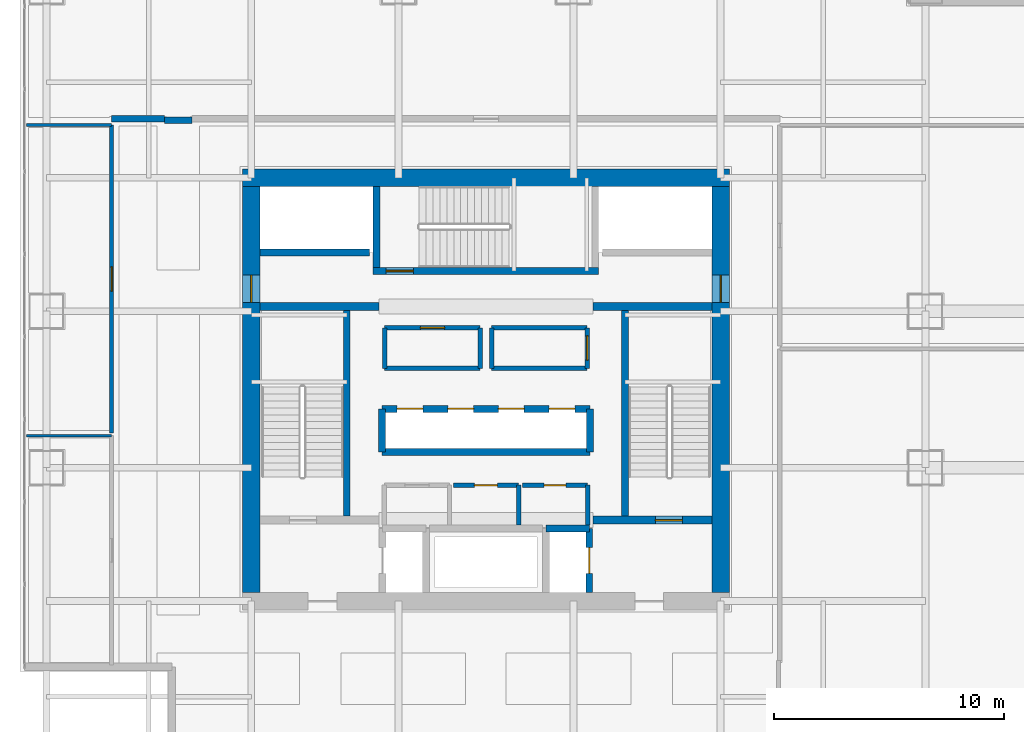
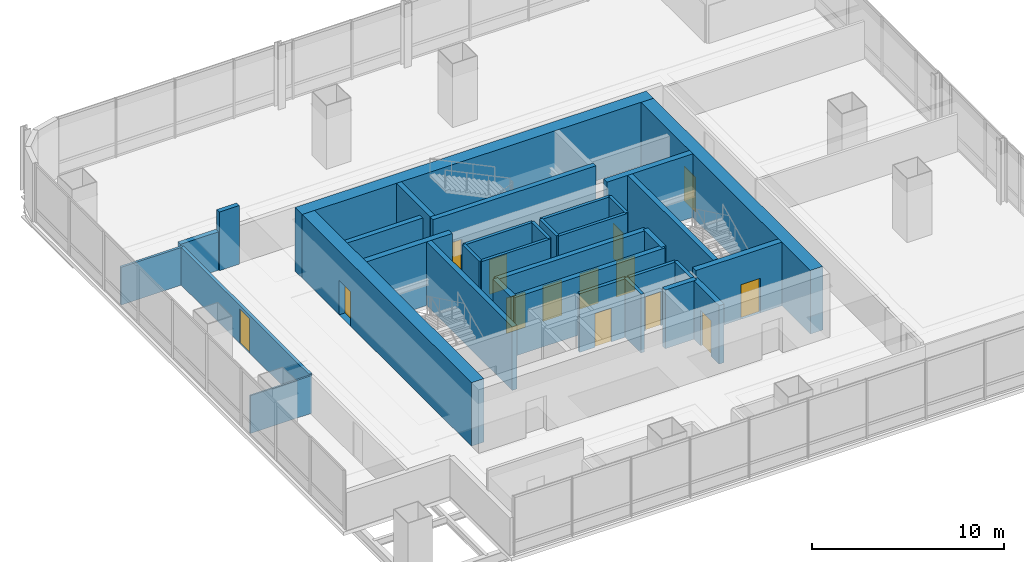
# One storey, part 28 of 33: 34 walls, 14 doors, 14 openings.
"""IFC4 building model written with IfcOpenShell, lengths in metres."""

from ifc_helpers import new_model, si_unit, direction, frame, frame_2d, origin, place, context, subcontext, project, spatial, rectangle, extrude, material, layer, layer_set, type_object, element, fill, save


model = new_model("IFC4")

# Units and contexts
model_context = context("Model", 3, precision=1e-05, world=origin(), true_north=direction((0.0, 1.0)))
body_context = subcontext(model_context, "Body", "Model", "MODEL_VIEW")
ifc_project = project(units=[si_unit("LENGTHUNIT", "METRE"), si_unit("AREAUNIT", "SQUARE_METRE"), si_unit("VOLUMEUNIT", "CUBIC_METRE"), si_unit("PLANEANGLEUNIT", "RADIAN"), si_unit("MASSUNIT", "GRAM", prefix="KILO")], contexts=[model_context])

# Site, building, storey
site_placement = place(None, origin())
site = spatial("IfcSite", under=ifc_project, at=site_placement, CompositionType="ELEMENT")
building_placement = place(site_placement, origin())
building = spatial("IfcBuilding", under=site, at=building_placement, Name="Punatoya Terracotta Tower", CompositionType="ELEMENT")
storey_placement = place(building_placement, frame((0.0, 0.0, 121.35009765625)))
storey = spatial("IfcBuildingStorey", under=building, at=storey_placement, Name="L28", CompositionType="ELEMENT", Elevation=121.35009765625)

# Walls
ifc_material_1 = material(Name="Concrete C40/50", Category="concrete")
ifc_layer_1 = layer(ifc_material_1, 0.280029296875)
ifc_layer_set_1 = layer_set([ifc_layer_1], Name="Concrete C40/50")
wall_type_1 = type_object("IfcWallType", Name="WL-AUD-280", PredefinedType="SOLIDWALL", material=ifc_layer_set_1)
wall_1_placement = place(storey_placement, frame((-12.77001953125, 11.7099609375, 0.0), z_axis=(0.0, 0.0, 1.0), x_axis=(-1.0, 0.0, 0.0)))
element("IfcWall", 1, at=wall_1_placement, inside=storey, type_object=wall_type_1, Name="L28 Fitness Movement Lounge Partition 34", PredefinedType="SOLIDWALL", context=body_context, shape_type="SweptSolid", body=[
    extrude(rectangle(XDim=1.2099609375, YDim=0.280029296875, at=frame_2d((0.60498046875, 0.0))), origin(), (0.0, 0.0, 1.0), 3.72998046875),
])
wall_2_placement = place(storey_placement, frame((-13.97998046875, 11.77001953125, 0.0), z_axis=(0.0, 0.0, 1.0), x_axis=(-1.0, 0.0, 0.0)))
element("IfcWall", 2, at=wall_2_placement, inside=storey, type_object=wall_type_1, Name="L28 Fitness Movement Lounge Partition 35", PredefinedType="SOLIDWALL", context=body_context, shape_type="SweptSolid", body=[
    extrude(rectangle(XDim=2.2900390625, YDim=0.280029296875, at=frame_2d((1.14501953125, 0.0))), origin(), (0.0, 0.0, 1.0), 2.44384765625),
])

# Wall, opening, door
ifc_material_2 = material(Name="Concrete C60/75", Category="concrete")
ifc_layer_2 = layer(ifc_material_2, 0.75)
ifc_layer_set_2 = layer_set([ifc_layer_2], Name="Concrete C60/75")
wall_type_2 = type_object("IfcWallType", Name="WL-COR-750", PredefinedType="SHEAR", material=ifc_layer_set_2)
wall_3_placement = place(storey_placement, frame((-10.199951171875, -8.824951171875, 0.0), z_axis=(0.0, 0.0, 1.0), x_axis=(0.0, 1.0, 0.0)))
wall_3 = element("IfcWall", 3, at=wall_3_placement, inside=storey, type_object=wall_type_2, Name="L28 Core Shear Wall W", PredefinedType="SHEAR", context=body_context, shape_type="SweptSolid", body=[
    extrude(rectangle(XDim=17.64990234375, YDim=0.75, at=frame_2d((8.824951171875, 0.0))), origin(), (0.0, 0.0, 1.0), 4.0498046875),
])
opening_1_placement = place(wall_3_placement, frame((12.614990234375, 0.0, 0.0)))
opening_1 = element("IfcOpeningElement", 4, at=opening_1_placement, cuts=wall_3, Name="Opening SD-01", PredefinedType="OPENING", context=body_context, shape_type="SweptSolid", body=[
    extrude(rectangle(XDim=1.179931640625, YDim=2.199951171875, at=frame_2d((0.58984375, 1.10009765625))), frame((0.0, 0.385009765625, 0.0), z_axis=(0.0, -1.0, 0.0), x_axis=(1.0, 0.0, 0.0)), (0.0, 0.0, 1.0), 0.77001953125),
])
ifc_material_3 = material(Name="Galvanised Steel Pressurized Stair Fire Door", Category="steel")
door_type_1 = type_object("IfcDoorType", Name="DR-STR-1180", OperationType="NOTDEFINED", PredefinedType="DOOR", material=ifc_material_3)
door_1_placement = place(opening_1_placement, origin())
door_1 = element("IfcDoor", 5, at=door_1_placement, inside=storey, type_object=door_type_1, Name="L28 Central Lift Lobby West Fire Door", OperationType="SINGLE_SWING_LEFT", OverallHeight=2.199951171875, OverallWidth=1.179931640625, PredefinedType="DOOR", context=body_context, shape_type="SweptSolid", body=[
    extrude(rectangle(XDim=1.179931640625, YDim=2.199951171875, at=frame_2d((0.58984375, 1.10009765625))), frame((0.0, 0.02490234375, 0.0), z_axis=(0.0, -1.0, 0.0), x_axis=(1.0, 0.0, 0.0)), (0.0, 0.0, 1.0), 0.050048828125),
])
fill(opening_1, door_1)

# Wall
wall_4_placement = place(storey_placement, frame((-10.574951171875, 9.199951171875, 0.0), z_axis=(0.0, 0.0, 1.0), x_axis=(1.0, 0.0, 0.0)))
element("IfcWall", 6, at=wall_4_placement, inside=storey, type_object=wall_type_2, Name="L28 Core Shear Wall N", PredefinedType="SHEAR", context=body_context, shape_type="SweptSolid", body=[
    extrude(rectangle(XDim=21.14990234375, YDim=0.75, at=frame_2d((10.574951171875, 0.0))), origin(), (0.0, 0.0, 1.0), 4.0498046875),
])

# Wall, opening, door
wall_5_placement = place(storey_placement, frame((10.199951171875, 8.824951171875, 0.0), z_axis=(0.0, 0.0, 1.0), x_axis=(0.0, -1.0, 0.0)))
wall_5 = element("IfcWall", 7, at=wall_5_placement, inside=storey, type_object=wall_type_2, Name="L28 Core Shear Wall E", PredefinedType="SHEAR", context=body_context, shape_type="SweptSolid", body=[
    extrude(rectangle(XDim=17.64990234375, YDim=0.75, at=frame_2d((8.824951171875, 0.0))), origin(), (0.0, 0.0, 1.0), 4.0498046875),
])
opening_2_placement = place(wall_5_placement, frame((3.85498046875, 0.0, 0.0)))
opening_2 = element("IfcOpeningElement", 8, at=opening_2_placement, cuts=wall_5, Name="Opening SD-01", PredefinedType="OPENING", context=body_context, shape_type="SweptSolid", body=[
    extrude(rectangle(XDim=1.179931640625, YDim=2.199951171875, at=frame_2d((0.58984375, 1.10009765625))), frame((0.0, 0.385009765625, 0.0), z_axis=(0.0, -1.0, 0.0), x_axis=(1.0, 0.0, 0.0)), (0.0, 0.0, 1.0), 0.77001953125),
])
door_2_placement = place(opening_2_placement, origin())
door_2 = element("IfcDoor", 9, at=door_2_placement, inside=storey, type_object=door_type_1, Name="L28 Central Lift Lobby East Fire Door", OperationType="SINGLE_SWING_RIGHT", OverallHeight=2.199951171875, OverallWidth=1.179931640625, PredefinedType="DOOR", context=body_context, shape_type="SweptSolid", body=[
    extrude(rectangle(XDim=1.179931640625, YDim=2.199951171875, at=frame_2d((0.58984375, 1.10009765625))), frame((0.0, 0.02490234375, 0.0), z_axis=(0.0, -1.0, 0.0), x_axis=(1.0, 0.0, 0.0)), (0.0, 0.0, 1.0), 0.050048828125),
])
fill(opening_2, door_2)

# Wall
ifc_material_4 = material(Name="Gypsum Fireboard + Steel Stud", Category="steel")
ifc_layer_3 = layer(ifc_material_4, 0.179931640625)
ifc_layer_set_3 = layer_set([ifc_layer_3], Name="Gypsum Fireboard + Steel Stud")
wall_type_3 = type_object("IfcWallType", Name="WL-CORR-180", PredefinedType="PARTITIONING", material=ifc_layer_set_3)
wall_6_placement = place(storey_placement, frame((-0.25, 0.919921875, 0.0), z_axis=(0.0, 0.0, 1.0), x_axis=(0.0, 1.0, 0.0)))
element("IfcWall", 10, at=wall_6_placement, inside=storey, type_object=wall_type_3, Name="L28 West Core Focus Pod Partition 08", PredefinedType="PARTITIONING", context=body_context, shape_type="SweptSolid", body=[
    extrude(rectangle(XDim=1.760009765625, YDim=0.179931640625, at=frame_2d((0.8798828125, 0.0))), origin(), (0.0, 0.0, 1.0), 3.72998046875),
])

# Wall, opening, door
wall_7_placement = place(storey_placement, frame((-0.25, 2.679931640625, 0.0), z_axis=(0.0, 0.0, 1.0), x_axis=(-1.0, 0.0, 0.0)))
wall_7 = element("IfcWall", 11, at=wall_7_placement, inside=storey, type_object=wall_type_3, Name="L28 West Core Focus Pod Partition 09", PredefinedType="PARTITIONING", context=body_context, shape_type="SweptSolid", body=[
    extrude(rectangle(XDim=4.14990234375, YDim=0.179931640625, at=frame_2d((2.074951171875, 0.0))), origin(), (0.0, 0.0, 1.0), 3.72998046875),
])
opening_3_placement = place(wall_7_placement, frame((1.550048828125, 0.0, 0.0)))
opening_3 = element("IfcOpeningElement", 12, at=opening_3_placement, cuts=wall_7, Name="Opening OD-01", PredefinedType="OPENING", context=body_context, shape_type="SweptSolid", body=[
    extrude(rectangle(XDim=1.050048828125, YDim=2.199951171875, at=frame_2d((0.52490234375, 1.10009765625))), frame((0.0, 0.099853515625, 0.0), z_axis=(0.0, -1.0, 0.0), x_axis=(1.0, 0.0, 0.0)), (0.0, 0.0, 1.0), 0.199951171875),
])
ifc_material_5 = material(Name="Bengal Teak Solid-Core Leaf")
door_type_2 = type_object("IfcDoorType", Name="DR-OFF-1050", OperationType="NOTDEFINED", PredefinedType="DOOR", material=ifc_material_5)
door_3_placement = place(opening_3_placement, origin())
door_3 = element("IfcDoor", 13, at=door_3_placement, inside=storey, type_object=door_type_2, Name="L28 West Focus Pod Door", OperationType="SINGLE_SWING_RIGHT", OverallHeight=2.199951171875, OverallWidth=1.050048828125, PredefinedType="DOOR", context=body_context, shape_type="SweptSolid", body=[
    extrude(rectangle(XDim=1.050048828125, YDim=2.199951171875, at=frame_2d((0.52490234375, 1.10009765625))), frame((0.0, 0.02490234375, 0.0), z_axis=(0.0, -1.0, 0.0), x_axis=(1.0, 0.0, 0.0)), (0.0, 0.0, 1.0), 0.050048828125),
])
fill(opening_3, door_3)

# Walls
wall_8_placement = place(storey_placement, frame((-4.39990234375, 2.679931640625, 0.0), z_axis=(0.0, 0.0, 1.0), x_axis=(0.0, -1.0, 0.0)))
element("IfcWall", 14, at=wall_8_placement, inside=storey, type_object=wall_type_3, Name="L28 West Core Focus Pod Partition 10", PredefinedType="PARTITIONING", context=body_context, shape_type="SweptSolid", body=[
    extrude(rectangle(XDim=1.760009765625, YDim=0.179931640625, at=frame_2d((0.8798828125, 0.0))), origin(), (0.0, 0.0, 1.0), 3.72998046875),
])
wall_9_placement = place(storey_placement, frame((-4.39990234375, 0.919921875, 0.0), z_axis=(0.0, 0.0, 1.0), x_axis=(1.0, 0.0, 0.0)))
element("IfcWall", 15, at=wall_9_placement, inside=storey, type_object=wall_type_3, Name="L28 West Core Focus Pod Partition 11", PredefinedType="PARTITIONING", context=body_context, shape_type="SweptSolid", body=[
    extrude(rectangle(XDim=4.14990234375, YDim=0.179931640625, at=frame_2d((2.074951171875, 0.0))), origin(), (0.0, 0.0, 1.0), 3.72998046875),
])

# Wall, opening, door
wall_10_placement = place(storey_placement, frame((4.39990234375, 0.919921875, 0.0), z_axis=(0.0, 0.0, 1.0), x_axis=(0.0, 1.0, 0.0)))
wall_10 = element("IfcWall", 16, at=wall_10_placement, inside=storey, type_object=wall_type_3, Name="L28 East Core Wellness Room Partition 12", PredefinedType="PARTITIONING", context=body_context, shape_type="SweptSolid", body=[
    extrude(rectangle(XDim=1.760009765625, YDim=0.179931640625, at=frame_2d((0.8798828125, 0.0))), origin(), (0.0, 0.0, 1.0), 3.72998046875),
])
opening_4_placement = place(wall_10_placement, frame((0.35498046875, 0.0, 0.0)))
opening_4 = element("IfcOpeningElement", 17, at=opening_4_placement, cuts=wall_10, Name="Opening OD-01", PredefinedType="OPENING", context=body_context, shape_type="SweptSolid", body=[
    extrude(rectangle(XDim=1.050048828125, YDim=2.199951171875, at=frame_2d((0.52490234375, 1.10009765625))), frame((0.0, 0.099853515625, 0.0), z_axis=(0.0, -1.0, 0.0), x_axis=(1.0, 0.0, 0.0)), (0.0, 0.0, 1.0), 0.199951171875),
])
door_4_placement = place(opening_4_placement, origin())
door_4 = element("IfcDoor", 18, at=door_4_placement, inside=storey, type_object=door_type_2, Name="L28 East Wellness Room Door", OperationType="SINGLE_SWING_LEFT", OverallHeight=2.199951171875, OverallWidth=1.050048828125, PredefinedType="DOOR", context=body_context, shape_type="SweptSolid", body=[
    extrude(rectangle(XDim=1.050048828125, YDim=2.199951171875, at=frame_2d((0.52490234375, 1.10009765625))), frame((0.0, 0.02490234375, 0.0), z_axis=(0.0, -1.0, 0.0), x_axis=(1.0, 0.0, 0.0)), (0.0, 0.0, 1.0), 0.050048828125),
])
fill(opening_4, door_4)

# Walls
wall_11_placement = place(storey_placement, frame((4.39990234375, 2.679931640625, 0.0), z_axis=(0.0, 0.0, 1.0), x_axis=(-1.0, 0.0, 0.0)))
element("IfcWall", 19, at=wall_11_placement, inside=storey, type_object=wall_type_3, Name="L28 East Core Wellness Room Partition 13", PredefinedType="PARTITIONING", context=body_context, shape_type="SweptSolid", body=[
    extrude(rectangle(XDim=4.14990234375, YDim=0.179931640625, at=frame_2d((2.074951171875, 0.0))), origin(), (0.0, 0.0, 1.0), 3.72998046875),
])
wall_12_placement = place(storey_placement, frame((0.25, 2.679931640625, 0.0), z_axis=(0.0, 0.0, 1.0), x_axis=(0.0, -1.0, 0.0)))
element("IfcWall", 20, at=wall_12_placement, inside=storey, type_object=wall_type_3, Name="L28 East Core Wellness Room Partition 14", PredefinedType="PARTITIONING", context=body_context, shape_type="SweptSolid", body=[
    extrude(rectangle(XDim=1.760009765625, YDim=0.179931640625, at=frame_2d((0.8798828125, 0.0))), origin(), (0.0, 0.0, 1.0), 3.72998046875),
])
wall_13_placement = place(storey_placement, frame((0.25, 0.919921875, 0.0), z_axis=(0.0, 0.0, 1.0), x_axis=(1.0, 0.0, 0.0)))
element("IfcWall", 21, at=wall_13_placement, inside=storey, type_object=wall_type_3, Name="L28 East Core Wellness Room Partition 15", PredefinedType="PARTITIONING", context=body_context, shape_type="SweptSolid", body=[
    extrude(rectangle(XDim=4.14990234375, YDim=0.179931640625, at=frame_2d((2.074951171875, 0.0))), origin(), (0.0, 0.0, 1.0), 3.72998046875),
])

# Wall, opening, door
wall_14_placement = place(storey_placement, frame((-16.27001953125, 11.489990234375, 0.0), z_axis=(0.0, 0.0, 1.0), x_axis=(0.0, -1.0, 0.0)))
wall_14 = element("IfcWall", 22, at=wall_14_placement, inside=storey, type_object=wall_type_3, Name="L28 Open-Plan Mindfulness Wellness Room Partition 30", PredefinedType="PARTITIONING", context=body_context, shape_type="SweptSolid", body=[
    extrude(rectangle(XDim=13.3798828125, YDim=0.179931640625, at=frame_2d((6.68994140625, 0.0))), origin(), (0.0, 0.0, 1.0), 2.40380859375),
])
opening_5_placement = place(wall_14_placement, frame((6.1650390625, 0.0, 0.0)))
opening_5 = element("IfcOpeningElement", 23, at=opening_5_placement, cuts=wall_14, Name="Opening OD-01", PredefinedType="OPENING", context=body_context, shape_type="SweptSolid", body=[
    extrude(rectangle(XDim=1.050048828125, YDim=2.199951171875, at=frame_2d((0.52490234375, 1.10009765625))), frame((0.0, 0.099853515625, 0.0), z_axis=(0.0, -1.0, 0.0), x_axis=(1.0, 0.0, 0.0)), (0.0, 0.0, 1.0), 0.199951171875),
])
door_5_placement = place(opening_5_placement, origin())
door_5 = element("IfcDoor", 24, at=door_5_placement, inside=storey, type_object=door_type_2, Name="L28 Open-Plan Mindfulness Wellness Room Door", OperationType="SINGLE_SWING_LEFT", OverallHeight=2.199951171875, OverallWidth=1.050048828125, PredefinedType="DOOR", context=body_context, shape_type="SweptSolid", body=[
    extrude(rectangle(XDim=1.050048828125, YDim=2.199951171875, at=frame_2d((0.52490234375, 1.10009765625))), frame((0.0, 0.02490234375, 0.0), z_axis=(0.0, -1.0, 0.0), x_axis=(1.0, 0.0, 0.0)), (0.0, 0.0, 1.0), 0.050048828125),
])
fill(opening_5, door_5)

# Walls
ifc_material_6 = material(Name="Aluminium Framed Acoustic Glass Partition", Category="aluminium")
ifc_layer_4 = layer(ifc_material_6, 0.10009765625)
ifc_layer_set_4 = layer_set([ifc_layer_4], Name="Aluminium Framed Acoustic Glass Partition")
wall_type_4 = type_object("IfcWallType", Name="WL-GLZ-100", PredefinedType="PARTITIONING", material=ifc_layer_set_4)
wall_15_placement = place(storey_placement, frame((-19.969970703125, -2.010009765625, 0.0), z_axis=(0.0, 0.0, 1.0), x_axis=(1.0, 0.0, 0.0)))
element("IfcWall", 25, at=wall_15_placement, inside=storey, type_object=wall_type_4, Name="L28 Open-Plan Leadership Training Classroom Partition 23", PredefinedType="PARTITIONING", context=body_context, shape_type="SweptSolid", body=[
    extrude(rectangle(XDim=3.699951171875, YDim=0.10009765625, at=frame_2d((1.85009765625, 0.0))), origin(), (0.0, 0.0, 1.0), 2.40380859375),
])
ifc_layer_5 = layer(ifc_material_1, 0.199951171875)
ifc_layer_set_5 = layer_set([ifc_layer_5], Name="Concrete C40/50")
wall_type_5 = type_object("IfcWallType", Name="WL-INT-200", PredefinedType="SOLIDWALL", material=ifc_layer_set_5)
wall_16_placement = place(storey_placement, frame((1.419921875, -5.89990234375, 0.0), z_axis=(0.0, 0.0, 1.0), x_axis=(0.0, 1.0, 0.0)))
element("IfcWall", 26, at=wall_16_placement, inside=storey, type_object=wall_type_5, Name="L28 Accessible Universal Washroom Partition 04", PredefinedType="SOLIDWALL", context=body_context, shape_type="SweptSolid", body=[
    extrude(rectangle(XDim=1.739990234375, YDim=0.199951171875, at=frame_2d((0.8701171875, 0.0))), origin(), (0.0, 0.0, 1.0), 3.72998046875),
])

# Wall, opening, door
wall_17_placement = place(storey_placement, frame((1.419921875, -4.159912109375, 0.0), z_axis=(0.0, 0.0, 1.0), x_axis=(-1.0, 0.0, 0.0)))
wall_17 = element("IfcWall", 27, at=wall_17_placement, inside=storey, type_object=wall_type_5, Name="L28 Accessible Universal Washroom Partition 05", PredefinedType="SOLIDWALL", context=body_context, shape_type="SweptSolid", body=[
    extrude(rectangle(XDim=2.83984375, YDim=0.199951171875, at=frame_2d((1.419921875, 0.0))), origin(), (0.0, 0.0, 1.0), 3.72998046875),
])
opening_6_placement = place(wall_17_placement, frame((0.919921875, 0.0, 0.0)))
opening_6 = element("IfcOpeningElement", 28, at=opening_6_placement, cuts=wall_17, Name="Opening AWD-1", PredefinedType="OPENING", context=body_context, shape_type="SweptSolid", body=[
    extrude(rectangle(XDim=1.0, YDim=2.14990234375, at=frame_2d((0.5, 1.074951171875))), frame((0.0, 0.10986328125, 0.0), z_axis=(0.0, -1.0, 0.0), x_axis=(1.0, 0.0, 0.0)), (0.0, 0.0, 1.0), 0.219970703125),
])
ifc_material_7 = material(Name="Bengal Teak Accessible WC Leaf")
door_type_3 = type_object("IfcDoorType", Name="DR-ACC-1000", OperationType="NOTDEFINED", PredefinedType="DOOR", material=ifc_material_7)
door_6_placement = place(opening_6_placement, origin())
door_6 = element("IfcDoor", 29, at=door_6_placement, inside=storey, type_object=door_type_3, Name="L28 Accessible Universal Washroom Door", OperationType="SINGLE_SWING_RIGHT", OverallHeight=2.14990234375, OverallWidth=1.0, PredefinedType="DOOR", context=body_context, shape_type="SweptSolid", body=[
    extrude(rectangle(XDim=1.0, YDim=2.14990234375, at=frame_2d((0.5, 1.074951171875))), frame((0.0, 0.02490234375, 0.0), z_axis=(0.0, -1.0, 0.0), x_axis=(1.0, 0.0, 0.0)), (0.0, 0.0, 1.0), 0.050048828125),
])
fill(opening_6, door_6)

# Wall
wall_18_placement = place(storey_placement, frame((4.419921875, -5.89990234375, 0.0), z_axis=(0.0, 0.0, 1.0), x_axis=(0.0, 1.0, 0.0)))
element("IfcWall", 30, at=wall_18_placement, inside=storey, type_object=wall_type_5, Name="L28 All-Gender Washroom Partition 06", PredefinedType="SOLIDWALL", context=body_context, shape_type="SweptSolid", body=[
    extrude(rectangle(XDim=1.739990234375, YDim=0.199951171875, at=frame_2d((0.8701171875, 0.0))), origin(), (0.0, 0.0, 1.0), 3.72998046875),
])

# Wall, opening, door
wall_19_placement = place(storey_placement, frame((4.419921875, -4.159912109375, 0.0), z_axis=(0.0, 0.0, 1.0), x_axis=(-1.0, 0.0, 0.0)))
wall_19 = element("IfcWall", 31, at=wall_19_placement, inside=storey, type_object=wall_type_5, Name="L28 All-Gender Washroom Partition 07", PredefinedType="SOLIDWALL", context=body_context, shape_type="SweptSolid", body=[
    extrude(rectangle(XDim=2.83984375, YDim=0.199951171875, at=frame_2d((1.419921875, 0.0))), origin(), (0.0, 0.0, 1.0), 3.72998046875),
])
opening_7_placement = place(wall_19_placement, frame((0.945068359375, 0.0, 0.0)))
opening_7 = element("IfcOpeningElement", 32, at=opening_7_placement, cuts=wall_19, Name="Opening WD-01", PredefinedType="OPENING", context=body_context, shape_type="SweptSolid", body=[
    extrude(rectangle(XDim=0.949951171875, YDim=2.14990234375, at=frame_2d((0.47509765625, 1.074951171875))), frame((0.0, 0.10986328125, 0.0), z_axis=(0.0, -1.0, 0.0), x_axis=(1.0, 0.0, 0.0)), (0.0, 0.0, 1.0), 0.219970703125),
])
ifc_material_8 = material(Name="Moisture-Resistant Laminate Timber Leaf", Category="wood")
door_type_4 = type_object("IfcDoorType", Name="DR-WC-950", OperationType="NOTDEFINED", PredefinedType="DOOR", material=ifc_material_8)
door_7_placement = place(opening_7_placement, origin())
door_7 = element("IfcDoor", 33, at=door_7_placement, inside=storey, type_object=door_type_4, Name="L28 All-Gender Washroom Door", OperationType="SINGLE_SWING_LEFT", OverallHeight=2.14990234375, OverallWidth=0.949951171875, PredefinedType="DOOR", context=body_context, shape_type="SweptSolid", body=[
    extrude(rectangle(XDim=0.949951171875, YDim=2.14990234375, at=frame_2d((0.47509765625, 1.074951171875))), frame((0.0, 0.02490234375, 0.0), z_axis=(0.0, -1.0, 0.0), x_axis=(1.0, 0.0, 0.0)), (0.0, 0.0, 1.0), 0.050048828125),
])
fill(opening_7, door_7)

# Walls
ifc_material_9 = material(Name="Acoustic Gypsum + Steel Stud", Category="steel")
ifc_layer_6 = layer(ifc_material_9, 0.139892578125)
ifc_layer_set_6 = layer_set([ifc_layer_6], Name="Acoustic Gypsum + Steel Stud")
wall_type_6 = type_object("IfcWallType", Name="WL-OFF-140", PredefinedType="PARTITIONING", material=ifc_layer_set_6)
wall_20_placement = place(storey_placement, frame((-19.969970703125, 11.489990234375, 0.0), z_axis=(0.0, 0.0, 1.0), x_axis=(1.0, 0.0, 0.0)))
element("IfcWall", 34, at=wall_20_placement, inside=storey, type_object=wall_type_6, Name="L28 Open-Plan Mindfulness Wellness Room Partition 29", PredefinedType="PARTITIONING", context=body_context, shape_type="SweptSolid", body=[
    extrude(rectangle(XDim=3.699951171875, YDim=0.139892578125, at=frame_2d((1.85009765625, 0.0))), origin(), (0.0, 0.0, 1.0), 2.40380859375),
])
ifc_layer_7 = layer(ifc_material_1, 0.300048828125)
ifc_layer_set_7 = layer_set([ifc_layer_7], Name="Concrete C40/50")
wall_type_7 = type_object("IfcWallType", Name="WL-SHF-300", PredefinedType="SOLIDWALL", material=ifc_layer_set_7)
for number, where, z_axis, x_axis, name in (
    (35, (-6.050048828125, -5.5, 0.0), (0.0, 0.0, 1.0), (0.0, 1.0, 0.0), "L28 Structural Stair Shaft Wall SW-ST1-E"),
    (36, (6.050048828125, 3.449951171875, 0.0), (0.0, 0.0, 1.0), (0.0, -1.0, 0.0), "L28 Structural Stair Shaft Wall SW-ST2-W"),
):
    element("IfcWall", number, at=place(storey_placement, frame(where, z_axis=z_axis, x_axis=x_axis)), inside=storey, type_object=wall_type_7, Name=name, PredefinedType="SOLIDWALL", context=body_context, shape_type="SweptSolid", body=[
        extrude(rectangle(XDim=8.949951171875, YDim=0.300048828125, at=frame_2d((4.47509765625, 0.0))), origin(), (0.0, 0.0, 1.0), 4.0498046875),
    ])
wall_21_placement = place(storey_placement, frame((-4.75, 5.300048828125, 0.0), z_axis=(0.0, 0.0, 1.0), x_axis=(0.0, 1.0, 0.0)))
element("IfcWall", 37, at=wall_21_placement, inside=storey, type_object=wall_type_7, Name="L28 Structural Stair Shaft Wall SW-ST3-W", PredefinedType="SOLIDWALL", context=body_context, shape_type="SweptSolid", body=[
    extrude(rectangle(XDim=3.52490234375, YDim=0.300048828125, at=frame_2d((1.762451171875, 0.0))), origin(), (0.0, 0.0, 1.0), 4.0498046875),
])

# Wall, opening, door
wall_22_placement = place(storey_placement, frame((-4.89990234375, 5.14990234375, 0.0), z_axis=(0.0, 0.0, 1.0), x_axis=(1.0, 0.0, 0.0)))
wall_22 = element("IfcWall", 38, at=wall_22_placement, inside=storey, type_object=wall_type_7, Name="L28 Structural Stair Shaft Wall SW-ST3-S", PredefinedType="SOLIDWALL", context=body_context, shape_type="SweptSolid", body=[
    extrude(rectangle(XDim=9.7998046875, YDim=0.300048828125, at=frame_2d((4.89990234375, 0.0))), origin(), (0.0, 0.0, 1.0), 4.0498046875),
])
opening_8_placement = place(wall_22_placement, frame((0.56005859375, 0.0, 0.0)))
opening_8 = element("IfcOpeningElement", 39, at=opening_8_placement, cuts=wall_22, Name="Opening SD-01", PredefinedType="OPENING", context=body_context, shape_type="SweptSolid", body=[
    extrude(rectangle(XDim=1.179931640625, YDim=2.199951171875, at=frame_2d((0.58984375, 1.10009765625))), frame((0.0, 0.159912109375, 0.0), z_axis=(0.0, -1.0, 0.0), x_axis=(1.0, 0.0, 0.0)), (0.0, 0.0, 1.0), 0.320068359375),
])
door_8_placement = place(opening_8_placement, origin())
door_8 = element("IfcDoor", 40, at=door_8_placement, inside=storey, type_object=door_type_1, Name="L28 Stair ST-3 Core Lobby Fire Door", OperationType="SINGLE_SWING_LEFT", OverallHeight=2.199951171875, OverallWidth=1.179931640625, PredefinedType="DOOR", context=body_context, shape_type="SweptSolid", body=[
    extrude(rectangle(XDim=1.179931640625, YDim=2.199951171875, at=frame_2d((0.58984375, 1.10009765625))), frame((0.0, 0.02490234375, 0.0), z_axis=(0.0, -1.0, 0.0), x_axis=(1.0, 0.0, 0.0)), (0.0, 0.0, 1.0), 0.050048828125),
])
fill(opening_8, door_8)

wall_23_placement = place(storey_placement, frame((4.489990234375, -8.820068359375, 0.0), z_axis=(0.0, 0.0, 1.0), x_axis=(0.0, 1.0, 0.0)))
wall_23 = element("IfcWall", 41, at=wall_23_placement, inside=storey, type_object=wall_type_7, Name="L28 FFL-2 Front Hoistway Wall", PredefinedType="SOLIDWALL", context=body_context, shape_type="SweptSolid", body=[
    extrude(rectangle(XDim=2.77001953125, YDim=0.300048828125, at=frame_2d((1.385009765625, 0.0))), origin(), (0.0, 0.0, 1.0), 3.72998046875),
])
opening_9_placement = place(wall_23_placement, frame((0.824951171875, 0.0, 0.0)))
opening_9 = element("IfcOpeningElement", 42, at=opening_9_placement, cuts=wall_23, Name="Opening LD-02", PredefinedType="OPENING", context=body_context, shape_type="SweptSolid", body=[
    extrude(rectangle(XDim=1.1201171875, YDim=2.25, at=frame_2d((0.56005859375, 1.125))), frame((0.0, 0.159912109375, 0.0), z_axis=(0.0, -1.0, 0.0), x_axis=(1.0, 0.0, 0.0)), (0.0, 0.0, 1.0), 0.320068359375),
])
ifc_material_10 = material(Name="Stainless Steel Lift Landing Door", Category="steel")
door_type_5 = type_object("IfcDoorType", Name="DR-LND-1120", OperationType="NOTDEFINED", PredefinedType="DOOR", material=ifc_material_10)
door_9_placement = place(opening_9_placement, origin())
door_9 = element("IfcDoor", 43, at=door_9_placement, inside=storey, type_object=door_type_5, Name="L28 Firefighting Lift FFL-2 Sliding Landing Door", OperationType="SLIDING_TO_RIGHT", OverallHeight=2.25, OverallWidth=1.1201171875, PredefinedType="DOOR", context=body_context, shape_type="SweptSolid", body=[
    extrude(rectangle(XDim=1.1201171875, YDim=2.25, at=frame_2d((0.56005859375, 1.125))), frame((0.0, 0.02490234375, 0.0), z_axis=(0.0, -1.0, 0.0), x_axis=(1.0, 0.0, 0.0)), (0.0, 0.0, 1.0), 0.050048828125),
])
fill(opening_9, door_9)

# Wall
wall_24_placement = place(storey_placement, frame((2.610107421875, -6.050048828125, 0.0), z_axis=(0.0, 0.0, 1.0), x_axis=(1.0, 0.0, 0.0)))
element("IfcWall", 44, at=wall_24_placement, inside=storey, type_object=wall_type_7, Name="L28 FFL-2 North Hoistway Wall", PredefinedType="SOLIDWALL", context=body_context, shape_type="SweptSolid", body=[
    extrude(rectangle(XDim=1.8798828125, YDim=0.300048828125, at=frame_2d((0.93994140625, 0.0))), origin(), (0.0, 0.0, 1.0), 3.72998046875),
])

# Wall, openings, doors
wall_25_placement = place(storey_placement, frame((-4.52001953125, -0.840087890625, 0.0), z_axis=(0.0, 0.0, 1.0), x_axis=(1.0, 0.0, 0.0)))
wall_25 = element("IfcWall", 45, at=wall_25_placement, inside=storey, type_object=wall_type_7, Name="L28 South Lift Bank Front Shaft Wall", PredefinedType="SOLIDWALL", context=body_context, shape_type="SweptSolid", body=[
    extrude(rectangle(XDim=9.0400390625, YDim=0.300048828125, at=frame_2d((4.52001953125, 0.0))), origin(), (0.0, 0.0, 1.0), 3.72998046875),
])
opening_10_placement = place(wall_25_placement, frame((0.659912109375, 0.0, 0.0)))
opening_10 = element("IfcOpeningElement", 46, at=opening_10_placement, cuts=wall_25, Name="Opening LD-02", PredefinedType="OPENING", context=body_context, shape_type="SweptSolid", body=[
    extrude(rectangle(XDim=1.1201171875, YDim=2.25, at=frame_2d((0.56005859375, 1.125))), frame((0.0, 0.159912109375, 0.0), z_axis=(0.0, -1.0, 0.0), x_axis=(1.0, 0.0, 0.0)), (0.0, 0.0, 1.0), 0.320068359375),
])
opening_11_placement = place(wall_25_placement, frame((2.860107421875, 0.0, 0.0)))
opening_11 = element("IfcOpeningElement", 47, at=opening_11_placement, cuts=wall_25, Name="Opening LD-02", PredefinedType="OPENING", context=body_context, shape_type="SweptSolid", body=[
    extrude(rectangle(XDim=1.1201171875, YDim=2.25, at=frame_2d((0.56005859375, 1.125))), frame((0.0, 0.159912109375, 0.0), z_axis=(0.0, -1.0, 0.0), x_axis=(1.0, 0.0, 0.0)), (0.0, 0.0, 1.0), 0.320068359375),
])
opening_12_placement = place(wall_25_placement, frame((5.06005859375, 0.0, 0.0)))
opening_12 = element("IfcOpeningElement", 48, at=opening_12_placement, cuts=wall_25, Name="Opening LD-02", PredefinedType="OPENING", context=body_context, shape_type="SweptSolid", body=[
    extrude(rectangle(XDim=1.1201171875, YDim=2.25, at=frame_2d((0.56005859375, 1.125))), frame((0.0, 0.159912109375, 0.0), z_axis=(0.0, -1.0, 0.0), x_axis=(1.0, 0.0, 0.0)), (0.0, 0.0, 1.0), 0.320068359375),
])
opening_13_placement = place(wall_25_placement, frame((7.260009765625, 0.0, 0.0)))
opening_13 = element("IfcOpeningElement", 49, at=opening_13_placement, cuts=wall_25, Name="Opening LD-02", PredefinedType="OPENING", context=body_context, shape_type="SweptSolid", body=[
    extrude(rectangle(XDim=1.1201171875, YDim=2.25, at=frame_2d((0.56005859375, 1.125))), frame((0.0, 0.159912109375, 0.0), z_axis=(0.0, -1.0, 0.0), x_axis=(1.0, 0.0, 0.0)), (0.0, 0.0, 1.0), 0.320068359375),
])
door_10_placement = place(opening_10_placement, origin())
door_10 = element("IfcDoor", 50, at=door_10_placement, inside=storey, type_object=door_type_5, Name="L28 Lift PL-L1 Sliding Landing Door", OperationType="DOUBLE_DOOR_SLIDING", OverallHeight=2.25, OverallWidth=1.1201171875, PredefinedType="DOOR", context=body_context, shape_type="SweptSolid", body=[
    extrude(rectangle(XDim=1.1201171875, YDim=2.25, at=frame_2d((0.56005859375, 1.125))), frame((0.0, 0.02490234375, 0.0), z_axis=(0.0, -1.0, 0.0), x_axis=(1.0, 0.0, 0.0)), (0.0, 0.0, 1.0), 0.050048828125),
])
fill(opening_10, door_10)
door_11_placement = place(opening_11_placement, origin())
door_11 = element("IfcDoor", 51, at=door_11_placement, inside=storey, type_object=door_type_5, Name="L28 Lift PL-L2 Sliding Landing Door", OperationType="DOUBLE_DOOR_SLIDING", OverallHeight=2.25, OverallWidth=1.1201171875, PredefinedType="DOOR", context=body_context, shape_type="SweptSolid", body=[
    extrude(rectangle(XDim=1.1201171875, YDim=2.25, at=frame_2d((0.56005859375, 1.125))), frame((0.0, 0.02490234375, 0.0), z_axis=(0.0, -1.0, 0.0), x_axis=(1.0, 0.0, 0.0)), (0.0, 0.0, 1.0), 0.050048828125),
])
fill(opening_11, door_11)
door_12_placement = place(opening_12_placement, origin())
door_12 = element("IfcDoor", 52, at=door_12_placement, inside=storey, type_object=door_type_5, Name="L28 Lift PL-L3 Sliding Landing Door", OperationType="DOUBLE_DOOR_SLIDING", OverallHeight=2.25, OverallWidth=1.1201171875, PredefinedType="DOOR", context=body_context, shape_type="SweptSolid", body=[
    extrude(rectangle(XDim=1.1201171875, YDim=2.25, at=frame_2d((0.56005859375, 1.125))), frame((0.0, 0.02490234375, 0.0), z_axis=(0.0, -1.0, 0.0), x_axis=(1.0, 0.0, 0.0)), (0.0, 0.0, 1.0), 0.050048828125),
])
fill(opening_12, door_12)
door_13_placement = place(opening_13_placement, origin())
door_13 = element("IfcDoor", 53, at=door_13_placement, inside=storey, type_object=door_type_5, Name="L28 Lift PL-L4 Sliding Landing Door", OperationType="DOUBLE_DOOR_SLIDING", OverallHeight=2.25, OverallWidth=1.1201171875, PredefinedType="DOOR", context=body_context, shape_type="SweptSolid", body=[
    extrude(rectangle(XDim=1.1201171875, YDim=2.25, at=frame_2d((0.56005859375, 1.125))), frame((0.0, 0.02490234375, 0.0), z_axis=(0.0, -1.0, 0.0), x_axis=(1.0, 0.0, 0.0)), (0.0, 0.0, 1.0), 0.050048828125),
])
fill(opening_13, door_13)

# Walls
wall_26_placement = place(storey_placement, frame((-4.52001953125, -2.719970703125, 0.0), z_axis=(0.0, 0.0, 1.0), x_axis=(1.0, 0.0, 0.0)))
element("IfcWall", 54, at=wall_26_placement, inside=storey, type_object=wall_type_7, Name="L28 South Lift Bank Rear Shaft Wall", PredefinedType="SOLIDWALL", context=body_context, shape_type="SweptSolid", body=[
    extrude(rectangle(XDim=9.0400390625, YDim=0.300048828125, at=frame_2d((4.52001953125, 0.0))), origin(), (0.0, 0.0, 1.0), 3.72998046875),
])
for number, where, z_axis, x_axis, name in (
    (55, (-4.52001953125, -2.719970703125, 0.0), (0.0, 0.0, 1.0), (0.0, 1.0, 0.0), "L28 South Lift Bank West End Wall"),
    (56, (4.52001953125, -2.719970703125, 0.0), (0.0, 0.0, 1.0), (0.0, 1.0, 0.0), "L28 South Lift Bank East End Wall"),
):
    element("IfcWall", number, at=place(storey_placement, frame(where, z_axis=z_axis, x_axis=x_axis)), inside=storey, type_object=wall_type_7, Name=name, PredefinedType="SOLIDWALL", context=body_context, shape_type="SweptSolid", body=[
        extrude(rectangle(XDim=1.8798828125, YDim=0.300048828125, at=frame_2d((0.93994140625, 0.0))), origin(), (0.0, 0.0, 1.0), 3.72998046875),
    ])
wall_27_placement = place(storey_placement, frame((-9.820068359375, 5.949951171875, 0.0), z_axis=(0.0, 0.0, 1.0), x_axis=(1.0, 0.0, 0.0)))
element("IfcWall", 57, at=wall_27_placement, inside=storey, type_object=wall_type_7, Name="L28 Shuttle SL-1 South Hoistway Wall", PredefinedType="SOLIDWALL", context=body_context, shape_type="SweptSolid", body=[
    extrude(rectangle(XDim=4.760009765625, YDim=0.300048828125, at=frame_2d((2.3798828125, 0.0))), origin(), (0.0, 0.0, 1.0), 3.72998046875),
])

# Wall, opening, door
ifc_material_11 = material(Name="Concrete C50/60", Category="concrete")
ifc_layer_8 = layer(ifc_material_11, 0.35009765625)
ifc_layer_set_8 = layer_set([ifc_layer_8], Name="Concrete C50/60")
wall_type_8 = type_object("IfcWallType", Name="WL-SHF-350", PredefinedType="SOLIDWALL", material=ifc_layer_set_8)
wall_28_placement = place(storey_placement, frame((4.64990234375, -5.679931640625, 0.0), z_axis=(0.0, 0.0, 1.0), x_axis=(1.0, 0.0, 0.0)))
wall_28 = element("IfcWall", 58, at=wall_28_placement, inside=storey, type_object=wall_type_8, Name="L28 Core Web Wall CSW-R", PredefinedType="SOLIDWALL", context=body_context, shape_type="SweptSolid", body=[
    extrude(rectangle(XDim=5.175048828125, YDim=0.35009765625, at=frame_2d((2.58740234375, 0.0))), origin(), (0.0, 0.0, 1.0), 4.0498046875),
])
opening_14_placement = place(wall_28_placement, frame((2.7099609375, 0.0, 0.0)))
opening_14 = element("IfcOpeningElement", 59, at=opening_14_placement, cuts=wall_28, Name="Opening SD-01", PredefinedType="OPENING", context=body_context, shape_type="SweptSolid", body=[
    extrude(rectangle(XDim=1.179931640625, YDim=2.199951171875, at=frame_2d((0.58984375, 1.10009765625))), frame((0.0, 0.18505859375, 0.0), z_axis=(0.0, -1.0, 0.0), x_axis=(1.0, 0.0, 0.0)), (0.0, 0.0, 1.0), 0.3701171875),
])
door_14_placement = place(opening_14_placement, origin())
door_14 = element("IfcDoor", 60, at=door_14_placement, inside=storey, type_object=door_type_1, Name="L28 Stair ST-2 Smokeproof Lobby Fire Door", OperationType="SINGLE_SWING_RIGHT", OverallHeight=2.199951171875, OverallWidth=1.179931640625, PredefinedType="DOOR", context=body_context, shape_type="SweptSolid", body=[
    extrude(rectangle(XDim=1.179931640625, YDim=2.199951171875, at=frame_2d((0.58984375, 1.10009765625))), frame((0.0, 0.02490234375, 0.0), z_axis=(0.0, -1.0, 0.0), x_axis=(1.0, 0.0, 0.0)), (0.0, 0.0, 1.0), 0.050048828125),
])
fill(opening_14, door_14)

# Walls
for number, where, z_axis, x_axis, name in (
    (61, (-9.824951171875, 3.60009765625, 0.0), (0.0, 0.0, 1.0), (1.0, 0.0, 0.0), "L28 Core Web Wall CNW-L"),
    (62, (4.64990234375, 3.60009765625, 0.0), (0.0, 0.0, 1.0), (1.0, 0.0, 0.0), "L28 Core Web Wall CNW-R"),
):
    element("IfcWall", number, at=place(storey_placement, frame(where, z_axis=z_axis, x_axis=x_axis)), inside=storey, type_object=wall_type_8, Name=name, PredefinedType="SOLIDWALL", context=body_context, shape_type="SweptSolid", body=[
        extrude(rectangle(XDim=5.175048828125, YDim=0.35009765625, at=frame_2d((2.58740234375, 0.0))), origin(), (0.0, 0.0, 1.0), 4.0498046875),
    ])

save(model, "model.ifc")
